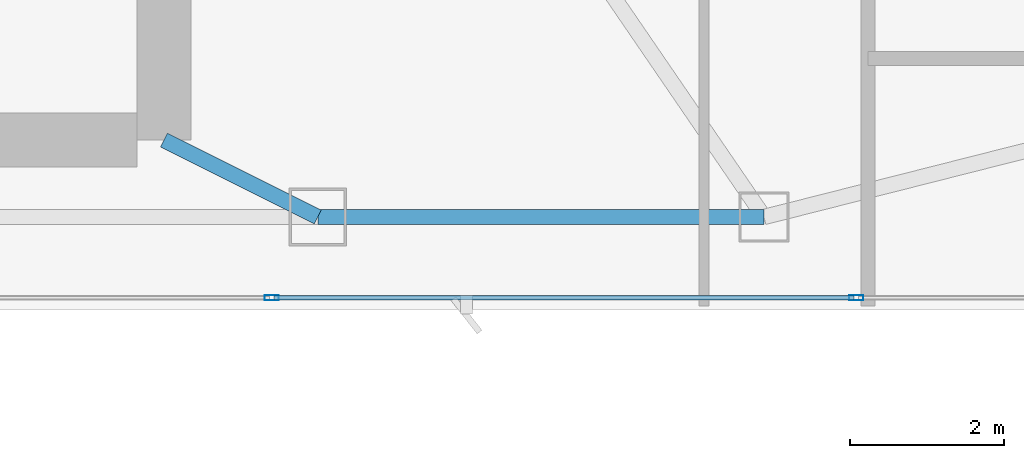
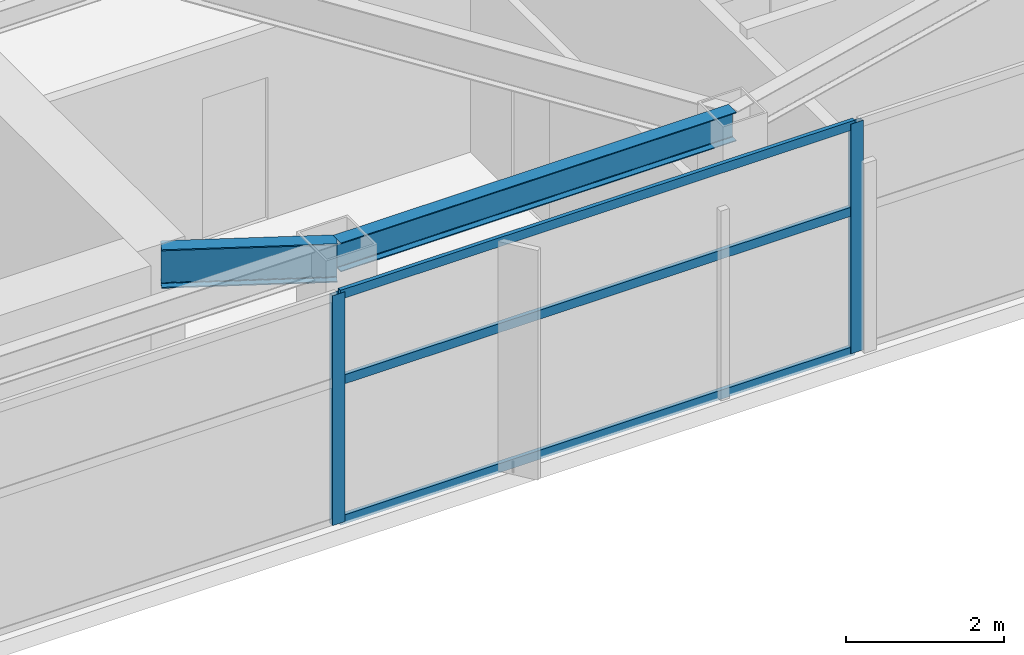
# One storey, part 13 of 30: 5 members, 2 beams, 1 element without a shape of its own.
"""IFC4 building model written with IfcOpenShell, lengths in metres."""

from ifc_helpers import new_model, si_unit, direction, frame, origin, origin_2d, place, context, subcontext, project, spatial, hollow_rectangle, i_section, extrude, material, layer, layer_set, material_profile, profile_set, type_object, element, aggregate, save


model = new_model("IFC4")

# Units and contexts
model_context = context("Model", 3, precision=1e-05, world=origin(), true_north=direction((0.0, 1.0)))
body_context = subcontext(model_context, "Body", "Model", "MODEL_VIEW")
ifc_project = project(units=[si_unit("LENGTHUNIT", "METRE"), si_unit("AREAUNIT", "SQUARE_METRE"), si_unit("VOLUMEUNIT", "CUBIC_METRE"), si_unit("PLANEANGLEUNIT", "RADIAN"), si_unit("MASSUNIT", "GRAM", prefix="KILO")], contexts=[model_context])

# Site, building, storey
site_placement = place(None, origin())
site = spatial("IfcSite", under=ifc_project, at=site_placement, CompositionType="ELEMENT")
building_placement = place(site_placement, origin())
building = spatial("IfcBuilding", under=site, at=building_placement, Name="Calvorn Quay Hotel", CompositionType="ELEMENT")
storey_placement = place(building_placement, frame((0.0, 0.0, 203.39990234375)))
storey = spatial("IfcBuildingStorey", under=building, at=storey_placement, Name="L50", CompositionType="ELEMENT", Elevation=203.39990234375)

# Beams
ifc_material_1 = material(Name="Steel Q355B", Category="steel")
ifc_material_profile_1 = material_profile(ifc_material_1, i_section(OverallWidth=0.199951171875, OverallDepth=0.60009765625, WebThickness=0.010986328125, FlangeThickness=0.01708984375, FilletRadius=0.01806640625, at=origin_2d()), Name="HN600x200x11x17")
ifc_profile_set_1 = profile_set([ifc_material_profile_1], Name="Steel Q355B")
beam_type_1 = type_object("IfcBeamType", Name="BM-GIRD-TYP", PredefinedType="BEAM", material=ifc_profile_set_1)
beam_1_placement = place(storey_placement, frame((34.39990234375, 3.60009765625, 3.239990234375), z_axis=(-0.894427191, 0.4472135955, 0.0), x_axis=(-0.4472135955, -0.894427191, 0.0)))
element("IfcBeam", 1, at=beam_1_placement, inside=storey, type_object=beam_type_1, Name="Beam BG-L50-S3", PredefinedType="BEAM", context=body_context, shape_type="SweptSolid", body=[
    extrude(i_section(OverallWidth=0.199951171875, OverallDepth=0.60009765625, WebThickness=0.010986328125, FlangeThickness=0.01708984375, FilletRadius=0.01806640625, at=origin_2d()), origin(), (0.0, 0.0, 1.0), 2.236083984375),
])
ifc_material_2 = material(Name="Steel Q355B", Category="steel")
ifc_material_profile_2 = material_profile(ifc_material_2, i_section(OverallWidth=0.199951171875, OverallDepth=0.449951171875, WebThickness=0.009033203125, FlangeThickness=0.013916015625, FilletRadius=0.01611328125, at=origin_2d()), Name="HN450x200x9x14")
ifc_profile_set_2 = profile_set([ifc_material_profile_2], Name="Steel Q355B")
beam_type_2 = type_object("IfcBeamType", Name="BM-SPANDREL-Z3", PredefinedType="SPANDREL", material=ifc_profile_set_2)
beam_2_placement = place(storey_placement, frame((34.39990234375, 3.60009765625, 3.315185546875), z_axis=(1.0, 0.0, 0.0), x_axis=(0.0, 1.0, 0.0)))
element("IfcBeam", 2, at=beam_2_placement, inside=storey, type_object=beam_type_2, Name="Beam BSP-L50-S4", PredefinedType="SPANDREL", context=body_context, shape_type="SweptSolid", body=[
    extrude(i_section(OverallWidth=0.199951171875, OverallDepth=0.449951171875, WebThickness=0.009033203125, FlangeThickness=0.013916015625, FilletRadius=0.01611328125, at=origin_2d()), origin(), (0.0, 0.0, 1.0), 5.800048828125),
])

# Curtain wall, members
ifc_material_3 = material(Name="Champagne Bronze Anodised Aluminium and Low-E Glass", Category="aluminium")
ifc_layer = layer(ifc_material_3, 0.219970703125)
ifc_layer_set = layer_set([ifc_layer], Name="CW-SYS-Z3")
curtain_wall_type = type_object("IfcCurtainWallType", Name="CW-SYS-Z3", PredefinedType="NOTDEFINED", material=ifc_layer_set)
curtain_wall_placement = place(storey_placement, origin())
curtain_wall = element("IfcCurtainWall", 3, at=curtain_wall_placement, inside=storey, type_object=curtain_wall_type, Name="Tower South Waterfront Curtain Wall (L50)", PredefinedType="NOTDEFINED")
ifc_material_4 = material(Name="Champagne Bronze Anodised Aluminium 6063-T6", Category="aluminium")
ifc_material_profile_3 = material_profile(ifc_material_4, hollow_rectangle(XDim=0.068115234375, YDim=0.18505859375, WallThickness=0.00390625, at=origin_2d()), Name="ALU-M185x68x4")
ifc_profile_set_3 = profile_set([ifc_material_profile_3], Name="Champagne Bronze Anodised Aluminium 6063-T6")
member_type_1 = type_object("IfcMemberType", Name="CW-SYS-Z3-MUL", PredefinedType="MULLION", material=ifc_profile_set_3)
member_1_placement = place(storey_placement, frame((33.800048828125, 2.550048828125, 0.0), z_axis=(0.0, 0.0, 1.0), x_axis=(0.0, 1.0, 0.0)))
member_1 = element("IfcMember", 4, at=member_1_placement, type_object=member_type_1, Name="CW-L50-S mullion 4", PredefinedType="MULLION", context=body_context, shape_type="SweptSolid", body=[
    extrude(hollow_rectangle(XDim=0.068115234375, YDim=0.18505859375, WallThickness=0.00390625, at=origin_2d()), origin(), (0.0, 0.0, 1.0), 3.56005859375),
])
member_2_placement = place(storey_placement, frame((41.39990234375, 2.550048828125, 0.0), z_axis=(0.0, 0.0, 1.0), x_axis=(0.0, 1.0, 0.0)))
member_2 = element("IfcMember", 5, at=member_2_placement, type_object=member_type_1, Name="CW-L50-S mullion 5", PredefinedType="MULLION", context=body_context, shape_type="SweptSolid", body=[
    extrude(hollow_rectangle(XDim=0.068115234375, YDim=0.18505859375, WallThickness=0.00390625, at=origin_2d()), origin(), (0.0, 0.0, 1.0), 3.56005859375),
])
ifc_material_5 = material(Name="Champagne Bronze Anodised Aluminium 6063-T6", Category="aluminium")
ifc_material_profile_4 = material_profile(ifc_material_5, hollow_rectangle(XDim=0.05810546875, YDim=0.139892578125, WallThickness=0.003173828125, at=origin_2d()), Name="ALU-T140x58x3.2")
ifc_profile_set_4 = profile_set([ifc_material_profile_4], Name="Champagne Bronze Anodised Aluminium 6063-T6")
member_type_2 = type_object("IfcMemberType", Name="CW-SYS-Z3-TRN", PredefinedType="USERDEFINED", material=ifc_profile_set_4)
member_3_placement = place(storey_placement, frame((33.830078125, 2.550048828125, 0.030029296875), z_axis=(1.0, 0.0, 0.0), x_axis=(0.0, 1.0, 0.0)))
member_3 = element("IfcMember", 6, at=member_3_placement, type_object=member_type_2, Name="CW-L50-S transom 4.1", ObjectType="TRANSOM", PredefinedType="USERDEFINED", context=body_context, shape_type="SweptSolid", body=[
    extrude(hollow_rectangle(XDim=0.05810546875, YDim=0.139892578125, WallThickness=0.003173828125, at=origin_2d()), origin(), (0.0, 0.0, 1.0), 7.5400390625),
])
member_4_placement = place(storey_placement, frame((33.830078125, 2.550048828125, 2.2001953125), z_axis=(1.0, 0.0, 0.0), x_axis=(0.0, 1.0, 0.0)))
member_4 = element("IfcMember", 7, at=member_4_placement, type_object=member_type_2, Name="CW-L50-S transom 4.2", ObjectType="TRANSOM", PredefinedType="USERDEFINED", context=body_context, shape_type="SweptSolid", body=[
    extrude(hollow_rectangle(XDim=0.05810546875, YDim=0.139892578125, WallThickness=0.003173828125, at=origin_2d()), origin(), (0.0, 0.0, 1.0), 7.5400390625),
])
member_5_placement = place(storey_placement, frame((33.830078125, 2.550048828125, 3.530029296875), z_axis=(1.0, 0.0, 0.0), x_axis=(0.0, 1.0, 0.0)))
member_5 = element("IfcMember", 8, at=member_5_placement, type_object=member_type_2, Name="CW-L50-S transom 4.3", ObjectType="TRANSOM", PredefinedType="USERDEFINED", context=body_context, shape_type="SweptSolid", body=[
    extrude(hollow_rectangle(XDim=0.05810546875, YDim=0.139892578125, WallThickness=0.003173828125, at=origin_2d()), origin(), (0.0, 0.0, 1.0), 7.5400390625),
])
aggregate(curtain_wall, [member_1, member_2, member_3, member_4, member_5])

save(model, "model.ifc")
